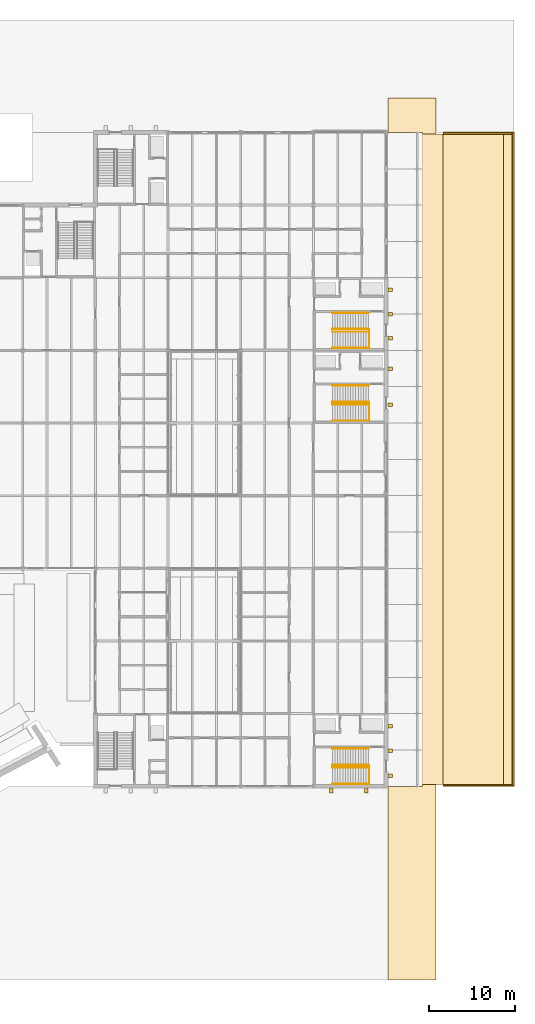
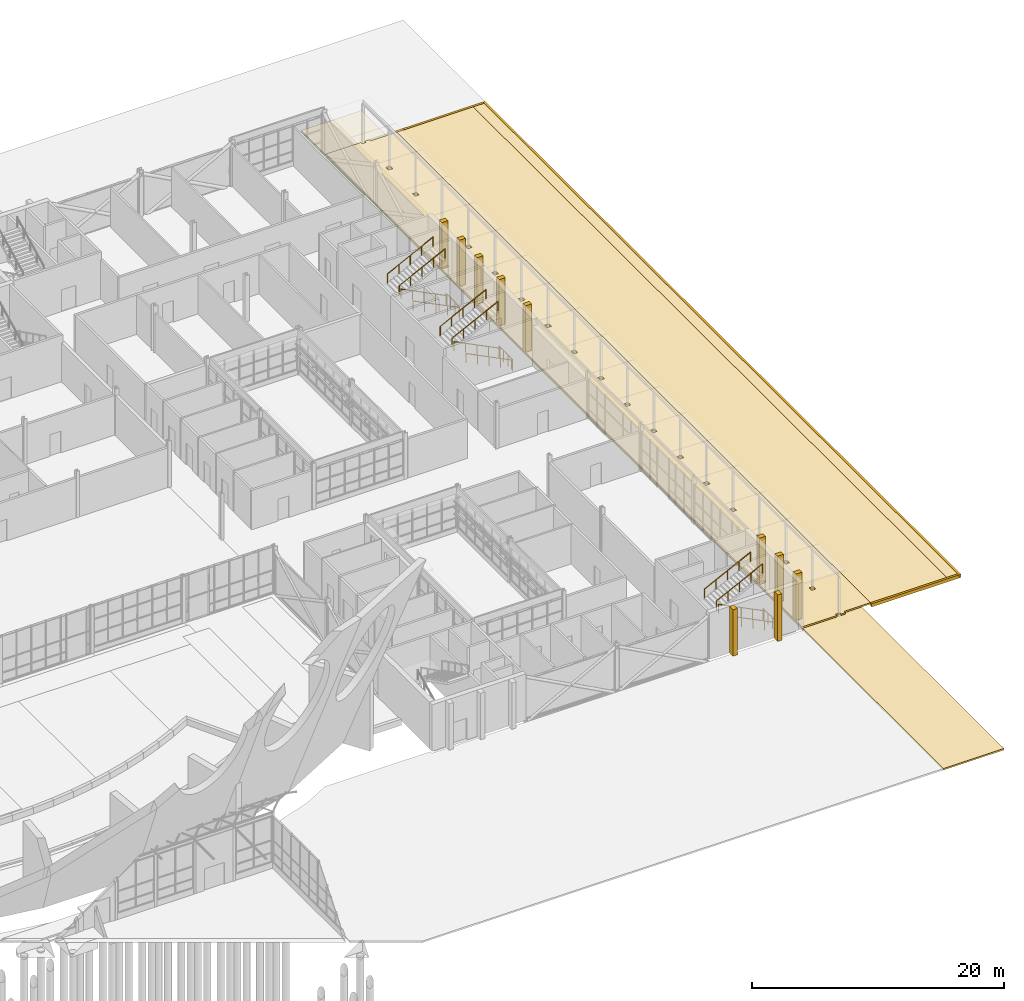
# One storey, part 115 of 116: 17 coverings, 15 railings.
"""IFC4 building model written with IfcOpenShell, lengths in metres."""

from ifc_helpers import new_model, si_unit, direction, frame, origin, origin_2d, place, context, subcontext, project, spatial, polyline, rectangle, circle, outline, extrude, material, layer, layer_set, type_object, element, save


model = new_model("IFC4")

# Units and contexts
model_context = context("Model", 3, precision=1e-05, world=origin(), true_north=direction((0.0, 1.0)))
body_context = subcontext(model_context, "Body", "Model", "MODEL_VIEW")
ifc_project = project(units=[si_unit("LENGTHUNIT", "METRE"), si_unit("AREAUNIT", "SQUARE_METRE"), si_unit("VOLUMEUNIT", "CUBIC_METRE"), si_unit("PLANEANGLEUNIT", "RADIAN"), si_unit("MASSUNIT", "GRAM", prefix="KILO")], contexts=[model_context])

# Site, building, storey
site_placement = place(None, origin())
site = spatial("IfcSite", under=ifc_project, at=site_placement, CompositionType="ELEMENT")
building_placement = place(site_placement, origin())
building = spatial("IfcBuilding", under=site, at=building_placement, Name="Ardhachandra Cancer Care Centre", CompositionType="ELEMENT")
storey_placement = place(building_placement, origin())
storey = spatial("IfcBuildingStorey", under=building, at=storey_placement, Name="L00", CompositionType="ELEMENT", Elevation=0.0)

# Coverings
ifc_material_1 = material(Name="Asphalt on compacted sub-base")
ifc_layer_1 = layer(ifc_material_1, 0.14990234375)
ifc_layer_set_1 = layer_set([ifc_layer_1], Name="Asphalt on compacted sub-base")
covering_type_1 = type_object("IfcCoveringType", Name="Asphalt carriageway 150", PredefinedType="USERDEFINED", material=ifc_layer_set_1)
covering_1_placement = place(storey_placement, frame((0.0, 0.0, -0.14990234375)))
element("IfcCovering", 1, at=covering_1_placement, inside=storey, type_object=covering_type_1, Name="Drop-off carriageway 1", ObjectType="ROADWAY", PredefinedType="USERDEFINED", context=body_context, shape_type="SweptSolid", body=[
    extrude(outline(polyline([(158.800048828125, 29.60009765625), (158.800048828125, 104.800048828125), (151.800048828125, 104.800048828125), (151.800048828125, 29.60009765625), (158.800048828125, 29.60009765625)])), origin(), (0.0, 0.0, 1.0), 0.14990234375),
])
ifc_material_2 = material(Name="Concrete M30 edge kerb on compacted sub-base", Category="concrete")
ifc_layer_2 = layer(ifc_material_2, 0.300048828125)
ifc_layer_set_2 = layer_set([ifc_layer_2], Name="Concrete M30 edge kerb on compacted sub-base")
covering_type_2 = type_object("IfcCoveringType", Name="Forecourt edge kerb 200", PredefinedType="USERDEFINED", material=ifc_layer_set_2)
covering_2_placement = place(storey_placement, frame((0.0, 0.0, -0.300048828125)))
element("IfcCovering", 2, at=covering_2_placement, inside=storey, type_object=covering_type_2, Name="Forecourt edge kerb east", ObjectType="PAVING", PredefinedType="USERDEFINED", context=body_context, shape_type="SweptSolid", body=[
    extrude(outline(polyline([(159.800048828125, 29.39990234375), (160.0, 29.39990234375), (160.0, 105.0), (159.800048828125, 105.0), (159.800048828125, 29.39990234375)])), origin(), (0.0, 0.0, 1.0), 0.300048828125),
])
covering_3_placement = place(storey_placement, frame((0.0, 0.0, -0.300048828125)))
element("IfcCovering", 3, at=covering_3_placement, inside=storey, type_object=covering_type_2, Name="Forecourt edge kerb south", ObjectType="PAVING", PredefinedType="USERDEFINED", context=body_context, shape_type="SweptSolid", body=[
    extrude(outline(polyline([(151.800048828125, 29.39990234375), (159.800048828125, 29.39990234375), (159.800048828125, 29.60009765625), (151.800048828125, 29.60009765625), (151.800048828125, 29.39990234375)])), origin(), (0.0, 0.0, 1.0), 0.300048828125),
])
covering_4_placement = place(storey_placement, frame((0.0, 0.0, -0.300048828125)))
element("IfcCovering", 4, at=covering_4_placement, inside=storey, type_object=covering_type_2, Name="Forecourt edge kerb north", ObjectType="PAVING", PredefinedType="USERDEFINED", context=body_context, shape_type="SweptSolid", body=[
    extrude(outline(polyline([(151.800048828125, 104.800048828125), (159.800048828125, 104.800048828125), (159.800048828125, 105.0), (151.800048828125, 105.0), (151.800048828125, 104.800048828125)])), origin(), (0.0, 0.0, 1.0), 0.300048828125),
])

# Railings
ifc_material_3 = material(Name="Steel E250 (IS 2062)", Category="steel")
railing_type_1 = type_object("IfcRailingType", Name="Guard 1100", PredefinedType="GUARDRAIL", material=ifc_material_3)
railing_1_placement = place(storey_placement, frame((143.260009765625, 29.655029296875, 0.0)))
element("IfcRailing", 5, at=railing_1_placement, inside=storey, type_object=railing_type_1, Name="Stair well guard K9 L00", PredefinedType="GUARDRAIL", context=body_context, shape_type="SweptSolid", body=[
    extrude(circle(Radius=0.02392578125, at=origin_2d()), frame((0.0, 0.0, 1.076171875), z_axis=(0.0, 1.0, 0.0), x_axis=(-1.0, 0.0, 0.0)), (0.0, 0.0, 1.0), 2.169921875),
    extrude(circle(Radius=0.02099609375, at=origin_2d()), origin(), (0.0, 0.0, 1.0), 1.052001953125),
    extrude(circle(Radius=0.02099609375, at=origin_2d()), frame((0.0, 0.723388671875, 0.0)), (0.0, 0.0, 1.0), 1.052001953125),
    extrude(circle(Radius=0.02099609375, at=origin_2d()), frame((0.0, 1.446533203125, 0.0)), (0.0, 0.0, 1.0), 1.052001953125),
    extrude(circle(Radius=0.02099609375, at=origin_2d()), frame((0.0, 2.169921875, 0.0)), (0.0, 0.0, 1.0), 1.052001953125),
])
railing_2_placement = place(storey_placement, frame((143.260009765625, 71.6298828125, 0.0)))
element("IfcRailing", 6, at=railing_2_placement, inside=storey, type_object=railing_type_1, Name="Stair well guard K10 L00", PredefinedType="GUARDRAIL", context=body_context, shape_type="SweptSolid", body=[
    extrude(circle(Radius=0.02392578125, at=origin_2d()), frame((0.0, 0.0, 1.076171875), z_axis=(0.0, 1.0, 0.0), x_axis=(-1.0, 0.0, 0.0)), (0.0, 0.0, 1.0), 2.170166015625),
    extrude(circle(Radius=0.02099609375, at=origin_2d()), origin(), (0.0, 0.0, 1.0), 1.052001953125),
    extrude(circle(Radius=0.02099609375, at=origin_2d()), frame((0.0, 0.723388671875, 0.0)), (0.0, 0.0, 1.0), 1.052001953125),
    extrude(circle(Radius=0.02099609375, at=origin_2d()), frame((0.0, 1.44677734375, 0.0)), (0.0, 0.0, 1.0), 1.052001953125),
    extrude(circle(Radius=0.02099609375, at=origin_2d()), frame((0.0, 2.170166015625, 0.0)), (0.0, 0.0, 1.0), 1.052001953125),
])
railing_3_placement = place(storey_placement, frame((143.260009765625, 80.030029296875, 0.0)))
element("IfcRailing", 7, at=railing_3_placement, inside=storey, type_object=railing_type_1, Name="Stair well guard K13 L00", PredefinedType="GUARDRAIL", context=body_context, shape_type="SweptSolid", body=[
    extrude(circle(Radius=0.02392578125, at=origin_2d()), frame((0.0, 0.0, 1.076171875), z_axis=(0.0, 1.0, 0.0), x_axis=(-1.0, 0.0, 0.0)), (0.0, 0.0, 1.0), 2.169921875),
    extrude(circle(Radius=0.02099609375, at=origin_2d()), origin(), (0.0, 0.0, 1.0), 1.052001953125),
    extrude(circle(Radius=0.02099609375, at=origin_2d()), frame((0.0, 0.723388671875, 0.0)), (0.0, 0.0, 1.0), 1.052001953125),
    extrude(circle(Radius=0.02099609375, at=origin_2d()), frame((0.0, 1.446533203125, 0.0)), (0.0, 0.0, 1.0), 1.052001953125),
    extrude(circle(Radius=0.02099609375, at=origin_2d()), frame((0.0, 2.169921875, 0.0)), (0.0, 0.0, 1.0), 1.052001953125),
])

# Coverings
ifc_material_4 = material(Name="Interlocking concrete paver on compacted sub-base", Category="concrete")
ifc_layer_3 = layer(ifc_material_4, 0.14990234375)
ifc_layer_set_3 = layer_set([ifc_layer_3], Name="Interlocking concrete paver on compacted sub-base")
covering_type_3 = type_object("IfcCoveringType", Name="Paver paving 150", PredefinedType="USERDEFINED", material=ifc_layer_set_3)
covering_5_placement = place(storey_placement, frame((0.0, 0.0, -0.14990234375)))
element("IfcCovering", 8, at=covering_5_placement, inside=storey, type_object=covering_type_3, Name="Forecourt paving 1", ObjectType="PAVING", PredefinedType="USERDEFINED", context=body_context, shape_type="SweptSolid", body=[
    extrude(outline(polyline([(149.0, 29.39990234375), (149.0, 29.60009765625), (148.60009765625, 29.60009765625), (148.60009765625, 29.39990234375), (145.425048828125, 29.39990234375), (145.425048828125, 105.0), (148.60009765625, 105.0), (148.60009765625, 104.800048828125), (149.0, 104.800048828125), (149.0, 105.0), (149.39990234375, 105.0), (149.39990234375, 104.800048828125), (151.800048828125, 104.800048828125), (151.800048828125, 29.60009765625), (149.39990234375, 29.60009765625), (149.39990234375, 29.39990234375), (149.0, 29.39990234375)]), holes=[polyline([(149.0, 67.39990234375), (148.60009765625, 67.39990234375), (148.60009765625, 67.0), (149.0, 67.0), (149.0, 67.39990234375)]), polyline([(149.0, 71.60009765625), (148.60009765625, 71.60009765625), (148.60009765625, 71.199951171875), (149.0, 71.199951171875), (149.0, 71.60009765625)]), polyline([(149.0, 75.800048828125), (148.60009765625, 75.800048828125), (148.60009765625, 75.39990234375), (149.0, 75.39990234375), (149.0, 75.800048828125)]), polyline([(149.0, 80.0), (148.60009765625, 80.0), (148.60009765625, 79.60009765625), (149.0, 79.60009765625), (149.0, 80.0)]), polyline([(149.0, 84.199951171875), (148.60009765625, 84.199951171875), (148.60009765625, 83.800048828125), (149.0, 83.800048828125), (149.0, 84.199951171875)]), polyline([(149.0, 88.39990234375), (148.60009765625, 88.39990234375), (148.60009765625, 88.0), (149.0, 88.0), (149.0, 88.39990234375)]), polyline([(149.0, 92.60009765625), (148.60009765625, 92.60009765625), (148.60009765625, 92.199951171875), (149.0, 92.199951171875), (149.0, 92.60009765625)]), polyline([(149.0, 96.39990234375), (149.0, 96.800048828125), (148.60009765625, 96.800048828125), (148.60009765625, 96.39990234375), (149.0, 96.39990234375)]), polyline([(149.0, 100.60009765625), (149.0, 101.0), (148.60009765625, 101.0), (148.60009765625, 100.60009765625), (149.0, 100.60009765625)]), polyline([(149.0, 33.800048828125), (148.60009765625, 33.800048828125), (148.60009765625, 33.39990234375), (149.0, 33.39990234375), (149.0, 33.800048828125)]), polyline([(149.0, 37.60009765625), (149.0, 38.0), (148.60009765625, 38.0), (148.60009765625, 37.60009765625), (149.0, 37.60009765625)]), polyline([(149.0, 41.800048828125), (149.0, 42.199951171875), (148.60009765625, 42.199951171875), (148.60009765625, 41.800048828125), (149.0, 41.800048828125)]), polyline([(149.0, 46.39990234375), (148.60009765625, 46.39990234375), (148.60009765625, 46.0), (149.0, 46.0), (149.0, 46.39990234375)]), polyline([(149.0, 50.60009765625), (148.60009765625, 50.60009765625), (148.60009765625, 50.199951171875), (149.0, 50.199951171875), (149.0, 50.60009765625)]), polyline([(149.0, 54.800048828125), (148.60009765625, 54.800048828125), (148.60009765625, 54.39990234375), (149.0, 54.39990234375), (149.0, 54.800048828125)]), polyline([(149.0, 58.60009765625), (149.0, 59.0), (148.60009765625, 59.0), (148.60009765625, 58.60009765625), (149.0, 58.60009765625)]), polyline([(149.0, 62.800048828125), (149.0, 63.199951171875), (148.60009765625, 63.199951171875), (148.60009765625, 62.800048828125), (149.0, 62.800048828125)])]), origin(), (0.0, 0.0, 1.0), 0.14990234375),
])
ifc_material_5 = material(Name="Precast Concrete M25", Category="concrete")
ifc_layer_4 = layer(ifc_material_5, 0.39990234375)
ifc_layer_set_4 = layer_set([ifc_layer_4], Name="Precast Concrete M25")
covering_type_4 = type_object("IfcCoveringType", Name="Precast concrete fin 400 x 550", PredefinedType="CLADDING", material=ifc_layer_set_4)
for number, where, z_axis, x_axis, name in (
    (9, (145.699951171875, 30.612548828125, 0.0), (0.0, 0.0, 1.0), (0.0, 1.0, 0.0), "Fin L00 core K9 1"),
    (10, (145.699951171875, 33.487548828125, 0.0), (0.0, 0.0, 1.0), (0.0, 1.0, 0.0), "Fin L00 core K9 2"),
    (11, (145.699951171875, 36.362548828125, 0.0), (0.0, 0.0, 1.0), (0.0, 1.0, 0.0), "Fin L00 core K9 3"),
    (12, (138.84375, 28.89990234375, 0.0), (0.0, 0.0, 1.0), (1.0, 0.0, 0.0), "Fin L00 core K9 1"),
    (13, (142.93115234375, 28.89990234375, 0.0), (0.0, 0.0, 1.0), (1.0, 0.0, 0.0), "Fin L00 core K9 2"),
    (14, (145.699951171875, 73.5, 0.0), (0.0, 0.0, 1.0), (0.0, 1.0, 0.0), "Fin L00 core K10 1"),
    (15, (145.699951171875, 77.699951171875, 0.0), (0.0, 0.0, 1.0), (0.0, 1.0, 0.0), "Fin L00 core K10 2"),
    (16, (145.699951171875, 81.199951171875, 0.0), (0.0, 0.0, 1.0), (0.0, 1.0, 0.0), "Fin L00 core K13 1"),
    (17, (145.699951171875, 84.0, 0.0), (0.0, 0.0, 1.0), (0.0, 1.0, 0.0), "Fin L00 core K13 2"),
    (18, (145.699951171875, 86.800048828125, 0.0), (0.0, 0.0, 1.0), (0.0, 1.0, 0.0), "Fin L00 core K13 3"),
):
    element("IfcCovering", number, at=place(storey_placement, frame(where, z_axis=z_axis, x_axis=x_axis)), inside=storey, type_object=covering_type_4, Name=name, PredefinedType="CLADDING", context=body_context, shape_type="SweptSolid", body=[
        extrude(rectangle(XDim=0.39990234375, YDim=0.550048828125, at=origin_2d()), origin(), (0.0, 0.0, 1.0), 4.5),
    ])
ifc_material_6 = material(Name="Compacted sub-base, topsoil and turf")
ifc_layer_5 = layer(ifc_material_6, 0.14990234375)
ifc_layer_set_5 = layer_set([ifc_layer_5], Name="Compacted sub-base, topsoil and turf")
covering_type_5 = type_object("IfcCoveringType", Name="Site ground layer 150", PredefinedType="USERDEFINED", material=ifc_layer_set_5)
covering_6_placement = place(storey_placement, frame((0.0, 0.0, -0.300048828125)))
element("IfcCovering", 19, at=covering_6_placement, inside=storey, type_object=covering_type_5, Name="Site ground layer 2", ObjectType="GROUND", PredefinedType="USERDEFINED", context=body_context, shape_type="SweptSolid", body=[
    extrude(outline(polyline([(151.0, 7.0), (151.0, 109.0), (145.449951171875, 109.0), (145.449951171875, 7.0), (151.0, 7.0)])), origin(), (0.0, 0.0, 1.0), 0.150146484375),
])

# Railings
ifc_material_7 = material(Name="Steel E250 (IS 2062)", Category="steel")
railing_type_2 = type_object("IfcRailingType", Name="Stair handrail 900", PredefinedType="HANDRAIL", material=ifc_material_7)
for number, where, name in (
    (20, (143.199951171875, 29.68505859375, 0.14990234375), "Handrail K9 L00-L01 flight 1 wall side"),
    (21, (143.199951171875, 31.574951171875, 0.14990234375), "Handrail K9 L00-L01 flight 1 well side"),
):
    element("IfcRailing", number, at=place(storey_placement, frame(where)), inside=storey, type_object=railing_type_2, Name=name, PredefinedType="HANDRAIL", context=body_context, shape_type="SweptSolid", body=[
        extrude(circle(Radius=0.02392578125, at=origin_2d()), frame((0.0, 0.0, 0.8759765625), z_axis=(-0.894416792377, 0.0, 0.447234392142), x_axis=(0.0, -1.0, 0.0)), (0.0, 0.0, 1.0), 4.69580078125),
        extrude(circle(Radius=0.02099609375, at=origin_2d()), origin(), (0.0, 0.0, 1.0), 0.851806640625),
        extrude(circle(Radius=0.02099609375, at=origin_2d()), frame((-1.050048828125, 0.0, 0.52490234375)), (0.0, 0.0, 1.0), 0.851806640625),
        extrude(circle(Radius=0.02099609375, at=origin_2d()), frame((-2.10009765625, 0.0, 1.050048828125)), (0.0, 0.0, 1.0), 0.851806640625),
        extrude(circle(Radius=0.02099609375, at=origin_2d()), frame((-3.14990234375, 0.0, 1.5751953125)), (0.0, 0.0, 1.0), 0.851806640625),
        extrude(circle(Radius=0.02099609375, at=origin_2d()), frame((-4.199951171875, 0.0, 2.10009765625)), (0.0, 0.0, 1.0), 0.851806640625),
    ])
for number, where, name in (
    (22, (139.0, 31.875, 2.39990234375), "Handrail K9 L00-L01 flight 2 well side"),
    (23, (139.0, 33.764892578125, 2.39990234375), "Handrail K9 L00-L01 flight 2 wall side"),
):
    element("IfcRailing", number, at=place(storey_placement, frame(where)), inside=storey, type_object=railing_type_2, Name=name, PredefinedType="HANDRAIL", context=body_context, shape_type="SweptSolid", body=[
        extrude(circle(Radius=0.02392578125, at=origin_2d()), frame((0.0, 0.0, 0.8759765625), z_axis=(0.894416792377, 0.0, 0.447234392142), x_axis=(0.0, 1.0, 0.0)), (0.0, 0.0, 1.0), 4.69580078125),
        extrude(circle(Radius=0.02099609375, at=origin_2d()), origin(), (0.0, 0.0, 1.0), 0.851806640625),
        extrude(circle(Radius=0.02099609375, at=origin_2d()), frame((1.050048828125, 0.0, 0.52490234375)), (0.0, 0.0, 1.0), 0.851806640625),
        extrude(circle(Radius=0.02099609375, at=origin_2d()), frame((2.10009765625, 0.0, 1.050048828125)), (0.0, 0.0, 1.0), 0.851806640625),
        extrude(circle(Radius=0.02099609375, at=origin_2d()), frame((3.14990234375, 0.0, 1.5751953125)), (0.0, 0.0, 1.0), 0.851806640625),
        extrude(circle(Radius=0.02099609375, at=origin_2d()), frame((4.199951171875, 0.0, 2.10009765625)), (0.0, 0.0, 1.0), 0.851806640625),
    ])
for number, where, name in (
    (24, (143.199951171875, 71.659912109375, 0.14990234375), "Handrail K10 L00-L01 flight 1 wall side"),
    (25, (143.199951171875, 73.550048828125, 0.14990234375), "Handrail K10 L00-L01 flight 1 well side"),
):
    element("IfcRailing", number, at=place(storey_placement, frame(where)), inside=storey, type_object=railing_type_2, Name=name, PredefinedType="HANDRAIL", context=body_context, shape_type="SweptSolid", body=[
        extrude(circle(Radius=0.02392578125, at=origin_2d()), frame((0.0, 0.0, 0.8759765625), z_axis=(-0.894416792377, 0.0, 0.447234392142), x_axis=(0.0, -1.0, 0.0)), (0.0, 0.0, 1.0), 4.69580078125),
        extrude(circle(Radius=0.02099609375, at=origin_2d()), origin(), (0.0, 0.0, 1.0), 0.851806640625),
        extrude(circle(Radius=0.02099609375, at=origin_2d()), frame((-1.050048828125, 0.0, 0.52490234375)), (0.0, 0.0, 1.0), 0.851806640625),
        extrude(circle(Radius=0.02099609375, at=origin_2d()), frame((-2.10009765625, 0.0, 1.050048828125)), (0.0, 0.0, 1.0), 0.851806640625),
        extrude(circle(Radius=0.02099609375, at=origin_2d()), frame((-3.14990234375, 0.0, 1.5751953125)), (0.0, 0.0, 1.0), 0.851806640625),
        extrude(circle(Radius=0.02099609375, at=origin_2d()), frame((-4.199951171875, 0.0, 2.10009765625)), (0.0, 0.0, 1.0), 0.851806640625),
    ])
for number, where, name in (
    (26, (139.0, 73.85009765625, 2.39990234375), "Handrail K10 L00-L01 flight 2 well side"),
    (27, (139.0, 75.739990234375, 2.39990234375), "Handrail K10 L00-L01 flight 2 wall side"),
):
    element("IfcRailing", number, at=place(storey_placement, frame(where)), inside=storey, type_object=railing_type_2, Name=name, PredefinedType="HANDRAIL", context=body_context, shape_type="SweptSolid", body=[
        extrude(circle(Radius=0.02392578125, at=origin_2d()), frame((0.0, 0.0, 0.8759765625), z_axis=(0.894416792377, 0.0, 0.447234392142), x_axis=(0.0, 1.0, 0.0)), (0.0, 0.0, 1.0), 4.69580078125),
        extrude(circle(Radius=0.02099609375, at=origin_2d()), origin(), (0.0, 0.0, 1.0), 0.851806640625),
        extrude(circle(Radius=0.02099609375, at=origin_2d()), frame((1.050048828125, 0.0, 0.52490234375)), (0.0, 0.0, 1.0), 0.851806640625),
        extrude(circle(Radius=0.02099609375, at=origin_2d()), frame((2.10009765625, 0.0, 1.050048828125)), (0.0, 0.0, 1.0), 0.851806640625),
        extrude(circle(Radius=0.02099609375, at=origin_2d()), frame((3.14990234375, 0.0, 1.5751953125)), (0.0, 0.0, 1.0), 0.851806640625),
        extrude(circle(Radius=0.02099609375, at=origin_2d()), frame((4.199951171875, 0.0, 2.10009765625)), (0.0, 0.0, 1.0), 0.851806640625),
    ])
for number, where, name in (
    (28, (143.199951171875, 80.06005859375, 0.14990234375), "Handrail K13 L00-L01 flight 1 wall side"),
    (29, (143.199951171875, 81.949951171875, 0.14990234375), "Handrail K13 L00-L01 flight 1 well side"),
):
    element("IfcRailing", number, at=place(storey_placement, frame(where)), inside=storey, type_object=railing_type_2, Name=name, PredefinedType="HANDRAIL", context=body_context, shape_type="SweptSolid", body=[
        extrude(circle(Radius=0.02392578125, at=origin_2d()), frame((0.0, 0.0, 0.8759765625), z_axis=(-0.894416792377, 0.0, 0.447234392142), x_axis=(0.0, -1.0, 0.0)), (0.0, 0.0, 1.0), 4.69580078125),
        extrude(circle(Radius=0.02099609375, at=origin_2d()), origin(), (0.0, 0.0, 1.0), 0.851806640625),
        extrude(circle(Radius=0.02099609375, at=origin_2d()), frame((-1.050048828125, 0.0, 0.52490234375)), (0.0, 0.0, 1.0), 0.851806640625),
        extrude(circle(Radius=0.02099609375, at=origin_2d()), frame((-2.10009765625, 0.0, 1.050048828125)), (0.0, 0.0, 1.0), 0.851806640625),
        extrude(circle(Radius=0.02099609375, at=origin_2d()), frame((-3.14990234375, 0.0, 1.5751953125)), (0.0, 0.0, 1.0), 0.851806640625),
        extrude(circle(Radius=0.02099609375, at=origin_2d()), frame((-4.199951171875, 0.0, 2.10009765625)), (0.0, 0.0, 1.0), 0.851806640625),
    ])
for number, where, name in (
    (30, (139.0, 82.25, 2.39990234375), "Handrail K13 L00-L01 flight 2 well side"),
    (31, (139.0, 84.139892578125, 2.39990234375), "Handrail K13 L00-L01 flight 2 wall side"),
):
    element("IfcRailing", number, at=place(storey_placement, frame(where)), inside=storey, type_object=railing_type_2, Name=name, PredefinedType="HANDRAIL", context=body_context, shape_type="SweptSolid", body=[
        extrude(circle(Radius=0.02392578125, at=origin_2d()), frame((0.0, 0.0, 0.8759765625), z_axis=(0.894416792377, 0.0, 0.447234392142), x_axis=(0.0, 1.0, 0.0)), (0.0, 0.0, 1.0), 4.69580078125),
        extrude(circle(Radius=0.02099609375, at=origin_2d()), origin(), (0.0, 0.0, 1.0), 0.851806640625),
        extrude(circle(Radius=0.02099609375, at=origin_2d()), frame((1.050048828125, 0.0, 0.52490234375)), (0.0, 0.0, 1.0), 0.851806640625),
        extrude(circle(Radius=0.02099609375, at=origin_2d()), frame((2.10009765625, 0.0, 1.050048828125)), (0.0, 0.0, 1.0), 0.851806640625),
        extrude(circle(Radius=0.02099609375, at=origin_2d()), frame((3.14990234375, 0.0, 1.5751953125)), (0.0, 0.0, 1.0), 0.851806640625),
        extrude(circle(Radius=0.02099609375, at=origin_2d()), frame((4.199951171875, 0.0, 2.10009765625)), (0.0, 0.0, 1.0), 0.851806640625),
    ])

# Covering
ifc_material_8 = material(Name="Granite setts on compacted sub-base", Category="masonry")
ifc_layer_6 = layer(ifc_material_8, 0.14990234375)
ifc_layer_set_6 = layer_set([ifc_layer_6], Name="Granite setts on compacted sub-base")
covering_type_6 = type_object("IfcCoveringType", Name="Verge paving 150", PredefinedType="USERDEFINED", material=ifc_layer_set_6)
covering_7_placement = place(storey_placement, frame((0.0, 0.0, -0.14990234375)))
element("IfcCovering", 32, at=covering_7_placement, inside=storey, type_object=covering_type_6, Name="Paved verge 1", ObjectType="PAVING", PredefinedType="USERDEFINED", context=body_context, shape_type="SweptSolid", body=[
    extrude(outline(polyline([(159.800048828125, 29.60009765625), (159.800048828125, 104.800048828125), (158.800048828125, 104.800048828125), (158.800048828125, 29.60009765625), (159.800048828125, 29.60009765625)])), origin(), (0.0, 0.0, 1.0), 0.14990234375),
])

save(model, "model.ifc")
